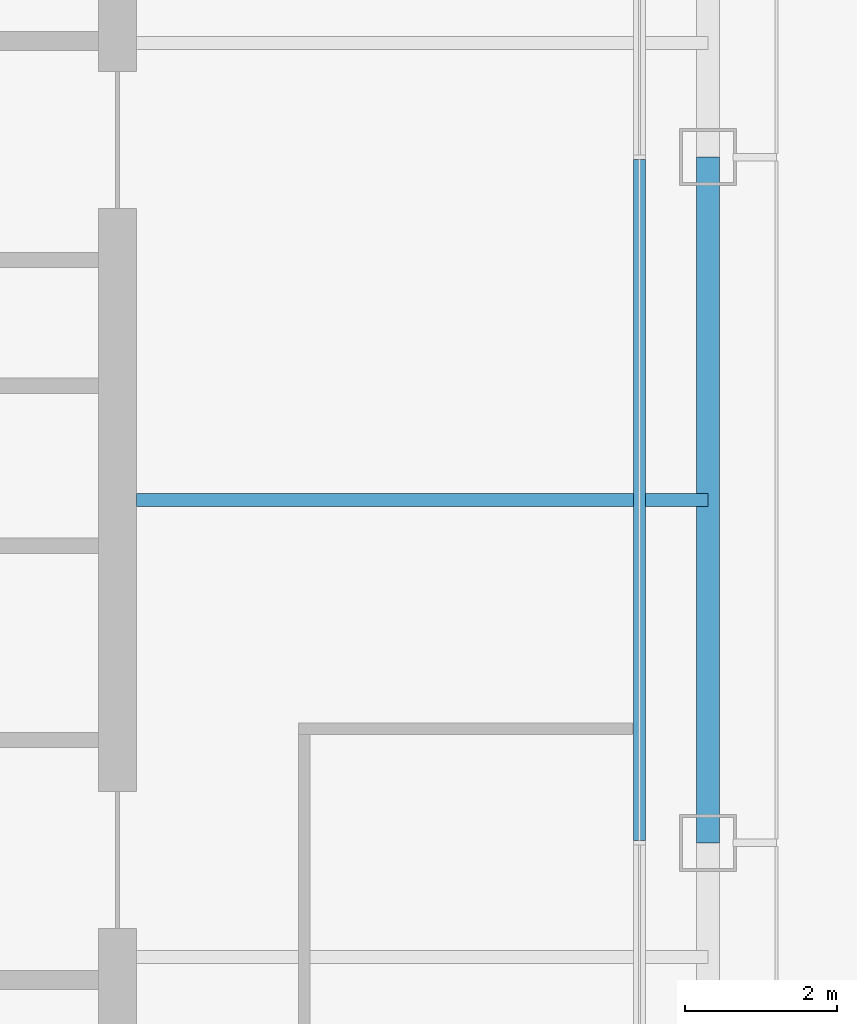
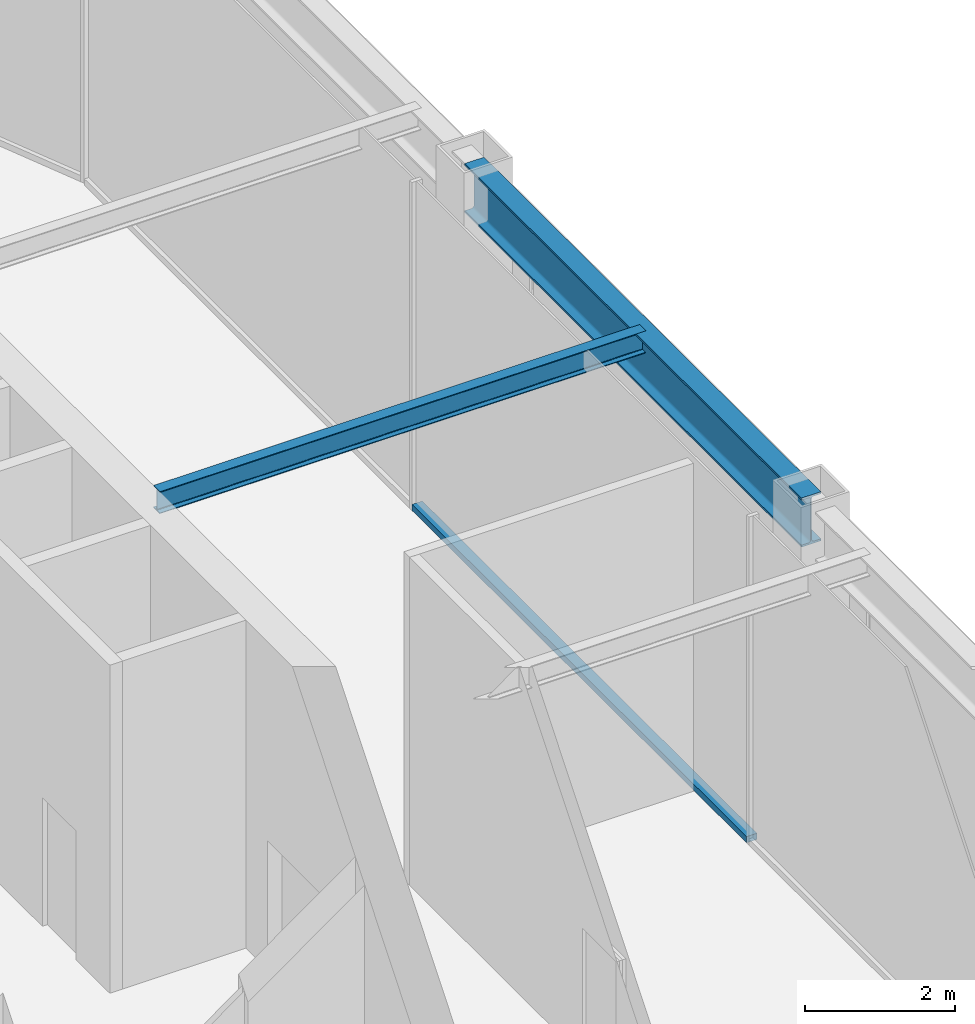
# One storey, part 5 of 17: 2 beams, 1 member, 1 element without a shape of its own.
"""IFC4 building model written with IfcOpenShell, lengths in metres."""

from ifc_helpers import new_model, si_unit, direction, frame, origin, origin_2d, place, context, subcontext, project, spatial, rectangle, i_section, extrude, material, layer, layer_set, material_profile, profile_set, type_object, element, aggregate, save


model = new_model("IFC4")

# Units and contexts
model_context = context("Model", 3, precision=1e-05, world=origin(), true_north=direction((0.0, 1.0)))
body_context = subcontext(model_context, "Body", "Model", "MODEL_VIEW")
ifc_project = project(units=[si_unit("LENGTHUNIT", "METRE"), si_unit("AREAUNIT", "SQUARE_METRE"), si_unit("VOLUMEUNIT", "CUBIC_METRE"), si_unit("PLANEANGLEUNIT", "RADIAN"), si_unit("MASSUNIT", "GRAM", prefix="KILO")], contexts=[model_context])

# Site, building, storey
site_placement = place(None, origin())
site = spatial("IfcSite", under=ifc_project, at=site_placement, CompositionType="ELEMENT")
building_placement = place(site_placement, origin())
building = spatial("IfcBuilding", under=site, at=building_placement, Name="Siwar Civic Tower", CompositionType="ELEMENT")
storey_placement = place(building_placement, frame((0.0, 0.0, 284.199951171875)))
storey = spatial("IfcBuildingStorey", under=building, at=storey_placement, Name="L61", CompositionType="ELEMENT", Elevation=284.199951171875)

# Curtain wall, member
ifc_material_1 = material(Name="Aluminium and glass", Category="aluminium")
ifc_layer = layer(ifc_material_1, 0.159912109375)
ifc_layer_set = layer_set([ifc_layer], Name="Aluminium and glass")
curtain_wall_type = type_object("IfcCurtainWallType", Name="ENV-CW-D", PredefinedType="NOTDEFINED", material=ifc_layer_set)
curtain_wall_placement = place(storey_placement, origin())
curtain_wall = element("IfcCurtainWall", 1, at=curtain_wall_placement, inside=storey, type_object=curtain_wall_type, Name="Curtain wall D E", PredefinedType="NOTDEFINED")
ifc_material_2 = material(Name="Aluminium 6063-T6", Category="aluminium")
ifc_material_profile_1 = material_profile(ifc_material_2, rectangle(XDim=0.159912109375, YDim=0.10009765625, at=origin_2d()), Name="AL 160x100")
ifc_profile_set_1 = profile_set([ifc_material_profile_1], Name="Aluminium 6063-T6")
member_type = type_object("IfcMemberType", Name="ENV-TRANSOM-D", PredefinedType="USERDEFINED", material=ifc_profile_set_1)
member_placement = place(storey_placement, frame((23.85009765625, -4.469970703125, 0.050048828125), z_axis=(0.0, 1.0, 0.0), x_axis=(-1.0, 0.0, 0.0)))
member = element("IfcMember", 2, at=member_placement, type_object=member_type, Name="Transom D E 2", ObjectType="TRANSOM", PredefinedType="USERDEFINED", context=body_context, shape_type="SweptSolid", body=[
    extrude(rectangle(XDim=0.159912109375, YDim=0.10009765625, at=origin_2d()), origin(), (0.0, 0.0, 1.0), 8.93994140625),
])
aggregate(curtain_wall, [member])

# Beams
ifc_material_3 = material(Name="Steel S355", Category="steel")
ifc_material_profile_2 = material_profile(ifc_material_3, i_section(OverallWidth=0.169921875, OverallDepth=0.360107421875, WebThickness=0.008056640625, FlangeThickness=0.0126953125, FilletRadius=0.01806640625, at=origin_2d()), Name="IPE360")
ifc_profile_set_2 = profile_set([ifc_material_profile_2], Name="Steel S355")
beam_type_1 = type_object("IfcBeamType", Name="STR-FB-IPE360", PredefinedType="JOIST", material=ifc_profile_set_2)
beam_1_placement = place(storey_placement, frame((17.25, 0.0, 5.170166015625), z_axis=(1.0, 0.0, 0.0), x_axis=(0.0, 1.0, 0.0)))
element("IfcBeam", 3, at=beam_1_placement, inside=storey, type_object=beam_type_1, Name="L61/bm/F019", PredefinedType="JOIST", context=body_context, shape_type="SweptSolid", body=[
    extrude(i_section(OverallWidth=0.169921875, OverallDepth=0.360107421875, WebThickness=0.008056640625, FlangeThickness=0.0126953125, FilletRadius=0.01806640625, at=origin_2d()), origin(), (0.0, 0.0, 1.0), 7.5),
])
ifc_material_4 = material(Name="Steel S355", Category="steel")
ifc_material_profile_3 = material_profile(ifc_material_4, i_section(OverallWidth=0.300048828125, OverallDepth=0.800048828125, WebThickness=0.017578125, FlangeThickness=0.032958984375, FilletRadius=0.030029296875, at=origin_2d()), Name="HEB800")
ifc_profile_set_3 = profile_set([ifc_material_profile_3], Name="Steel S355")
beam_type_2 = type_object("IfcBeamType", Name="STR-SB-HEB800", PredefinedType="BEAM", material=ifc_profile_set_3)
beam_2_placement = place(storey_placement, frame((24.75, -4.5, 4.949951171875), z_axis=(0.0, 1.0, 0.0), x_axis=(-1.0, 0.0, 0.0)))
element("IfcBeam", 4, at=beam_2_placement, inside=storey, type_object=beam_type_2, Name="L61/bm/SE-1", PredefinedType="BEAM", context=body_context, shape_type="SweptSolid", body=[
    extrude(i_section(OverallWidth=0.300048828125, OverallDepth=0.800048828125, WebThickness=0.017578125, FlangeThickness=0.032958984375, FilletRadius=0.030029296875, at=origin_2d()), origin(), (0.0, 0.0, 1.0), 9.0),
])

save(model, "model.ifc")
